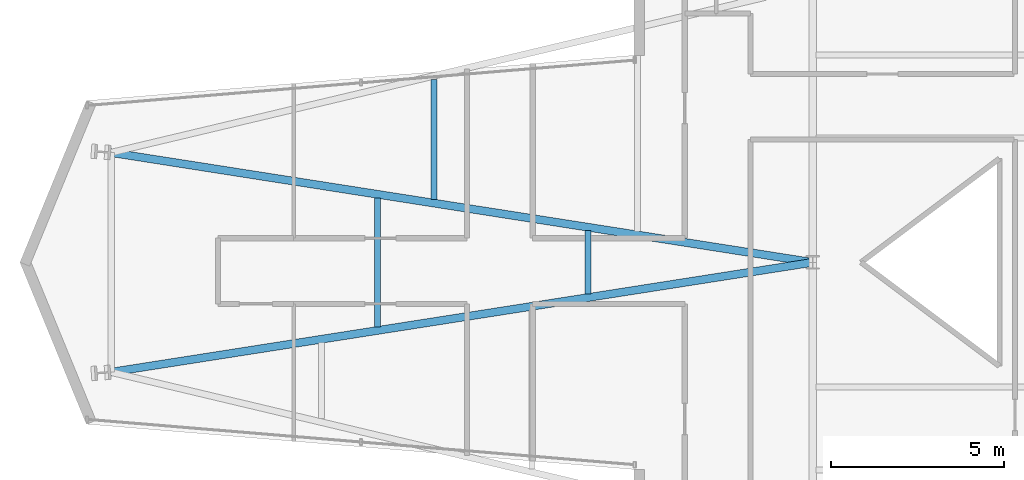
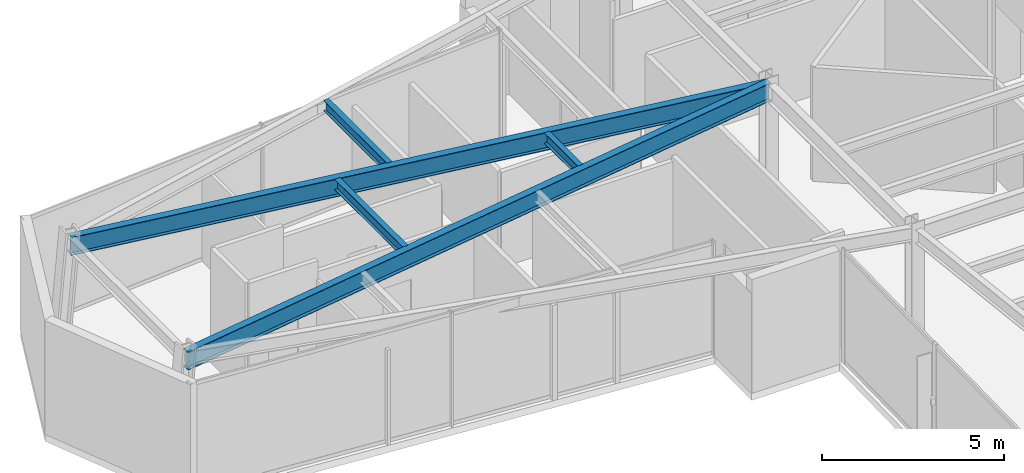
# One storey, part 7 of 24: 5 beams.
"""IFC4 building model written with IfcOpenShell, lengths in metres."""

from ifc_helpers import new_model, si_unit, direction, frame, origin, origin_2d, place, context, subcontext, project, spatial, i_section, extrude, material, material_profile, profile_set, type_object, element, save


model = new_model("IFC4")

# Units and contexts
model_context = context("Model", 3, precision=1e-05, world=origin(), true_north=direction((0.0, 1.0)))
body_context = subcontext(model_context, "Body", "Model", "MODEL_VIEW")
ifc_project = project(units=[si_unit("LENGTHUNIT", "METRE"), si_unit("AREAUNIT", "SQUARE_METRE"), si_unit("VOLUMEUNIT", "CUBIC_METRE"), si_unit("PLANEANGLEUNIT", "RADIAN"), si_unit("MASSUNIT", "GRAM", prefix="KILO")], contexts=[model_context])

# Site, building, storey
site_placement = place(None, origin())
site = spatial("IfcSite", under=ifc_project, at=site_placement, CompositionType="ELEMENT")
building_placement = place(site_placement, origin())
building = spatial("IfcBuilding", under=site, at=building_placement, Name="Veymaron Broadcast Tower", CompositionType="ELEMENT")
storey_placement = place(building_placement, frame((0.0, 0.0, 124.949951171875)))
storey = spatial("IfcBuildingStorey", under=building, at=storey_placement, Name="L28", CompositionType="ELEMENT", Elevation=124.949951171875)

# Beams
ifc_material = material(Name="Structural steel ASTM A992 Gr 50", Category="steel")
ifc_material_profile_1 = material_profile(ifc_material, i_section(OverallWidth=0.22802734375, OverallDepth=0.60791015625, WebThickness=0.01123046875, FlangeThickness=0.017333984375, at=origin_2d()), Name="W610X113")
ifc_profile_set_1 = profile_set([ifc_material_profile_1], Name="Structural steel ASTM A992 Gr 50")
beam_type_1 = type_object("IfcBeamType", Name="BM-FG2", PredefinedType="BEAM", material=ifc_profile_set_1)
for number, where, z_axis, x_axis, name in (
    (1, (10.905029296875, 20.824951171875, 3.506103515625), (0.987982557998, 0.154565407164, 0.0), (-0.154565407164, 0.987982557998, 0.0), "L28 primary structural floor girder"),
    (2, (10.905029296875, 27.175048828125, 3.506103515625), (0.987982557998, -0.154565407164, 0.0), (0.154565407164, 0.987982557998, 0.0), "L28 primary structural floor girder"),
):
    element("IfcBeam", number, at=place(storey_placement, frame(where, z_axis=z_axis, x_axis=x_axis)), inside=storey, type_object=beam_type_1, Name=name, PredefinedType="BEAM", context=body_context, shape_type="SweptSolid", body=[
        extrude(i_section(OverallWidth=0.22802734375, OverallDepth=0.60791015625, WebThickness=0.01123046875, FlangeThickness=0.017333984375, at=origin_2d()), origin(), (0.0, 0.0, 1.0), 20.541748046875),
    ])
ifc_material_profile_2 = material_profile(ifc_material, i_section(OverallWidth=0.1708984375, OverallDepth=0.35498046875, WebThickness=0.007080078125, FlangeThickness=0.01171875, at=origin_2d()), Name="W360X51")
ifc_profile_set_2 = profile_set([ifc_material_profile_2], Name="Structural steel ASTM A992 Gr 50")
beam_type_2 = type_object("IfcBeamType", Name="BM-JS2", PredefinedType="JOIST", material=ifc_profile_set_2)
beam_1_placement = place(storey_placement, frame((18.6171875, 22.131591796875, 3.632568359375), z_axis=(0.0, 1.0, 0.0), x_axis=(-1.0, 0.0, 0.0)))
element("IfcBeam", 3, at=beam_1_placement, inside=storey, type_object=beam_type_2, Name="L28 Arm-A secondary joist 1M", PredefinedType="JOIST", context=body_context, shape_type="SweptSolid", body=[
    extrude(i_section(OverallWidth=0.1708984375, OverallDepth=0.35498046875, WebThickness=0.007080078125, FlangeThickness=0.01171875, at=origin_2d()), origin(), (0.0, 0.0, 1.0), 3.73681640625),
])
beam_2_placement = place(storey_placement, frame((20.24072265625, 25.814453125, 3.632568359375), z_axis=(0.0, 1.0, 0.0), x_axis=(-1.0, 0.0, 0.0)))
element("IfcBeam", 4, at=beam_2_placement, inside=storey, type_object=beam_type_2, Name="L28 Arm-A secondary joist 1N", PredefinedType="JOIST", context=body_context, shape_type="SweptSolid", body=[
    extrude(i_section(OverallWidth=0.1708984375, OverallDepth=0.35498046875, WebThickness=0.007080078125, FlangeThickness=0.01171875, at=origin_2d()), origin(), (0.0, 0.0, 1.0), 3.47998046875),
])
beam_3_placement = place(storey_placement, frame((24.70556640625, 23.083984375, 3.632568359375), z_axis=(0.0, 1.0, 0.0), x_axis=(-1.0, 0.0, 0.0)))
element("IfcBeam", 5, at=beam_3_placement, inside=storey, type_object=beam_type_2, Name="L28 Arm-A secondary joist 2M", PredefinedType="JOIST", context=body_context, shape_type="SweptSolid", body=[
    extrude(i_section(OverallWidth=0.1708984375, OverallDepth=0.35498046875, WebThickness=0.007080078125, FlangeThickness=0.01171875, at=origin_2d()), origin(), (0.0, 0.0, 1.0), 1.83203125),
])

save(model, "model.ifc")
